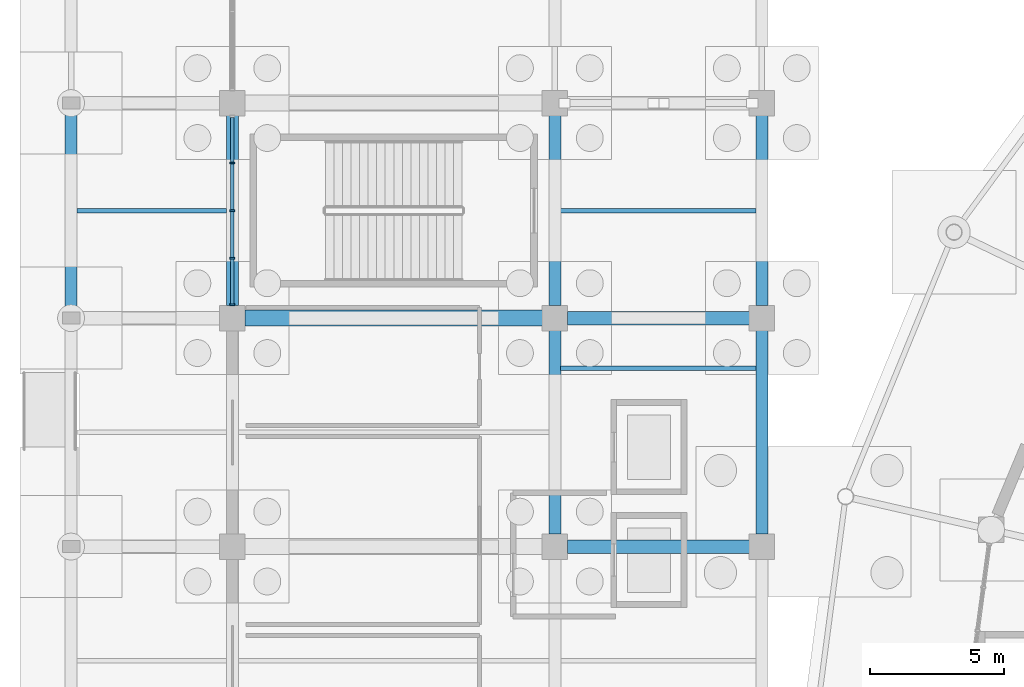
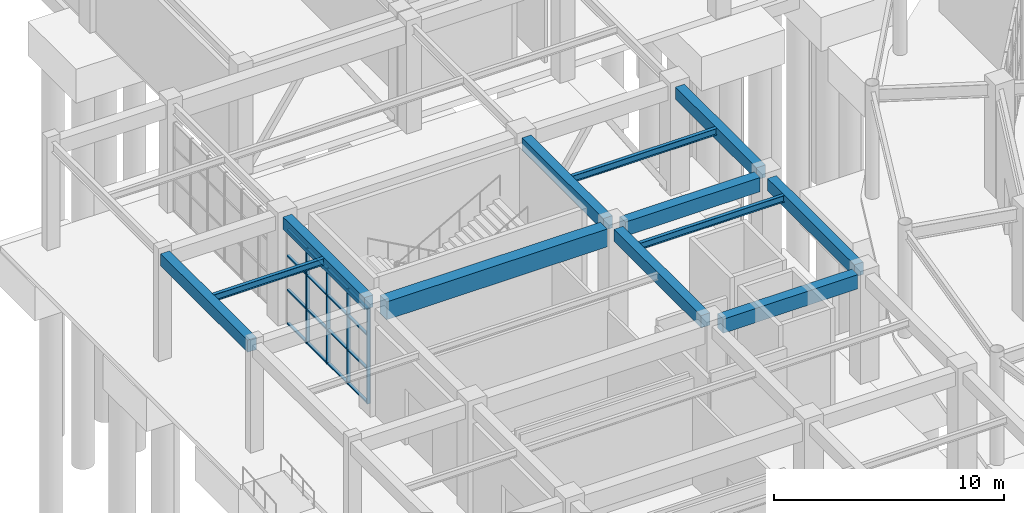
# One storey, part 38 of 121: 20 members, 12 beams, 1 element without a shape of its own.
"""IFC4 building model written with IfcOpenShell, lengths in metres."""

import ifcopenshell
import ifcopenshell.guid

model = None  # the IFC model being written
_history = None  # IfcOwnerHistory: only IFC2X3 demands one
_inside = {}  # id of a spatial element -> (the spatial element, [elements in it])
_under = {}  # id of a project, library or spatial element -> (it, [spatial elements below it])
_declared = {}  # id of a project -> (the project, [libraries it declares])
_typed = {}  # id of a type object -> (the type object, [elements of that type])
_made_of = {}  # id of a material, layer set ... -> (it, [elements and type objects made of it])


def new_model(schema):
    """Start an empty IFC model of exactly this schema.

    Asked for "IFC4X3", IfcOpenShell would pick the latest addendum, in which some entities
    have other attributes; the version numbers below select the first issue.
    IFC2X3 requires an IfcOwnerHistory on every rooted entity: one is made here for all.
    """
    global model, _history
    if schema == "IFC4X3":
        model = ifcopenshell.file(schema_version=(4, 3, 0, 0))
    else:
        model = ifcopenshell.file(schema=schema)
    _inside.clear()
    _under.clear()
    _declared.clear()
    _typed.clear()
    _made_of.clear()
    _history = None
    if model.schema == "IFC2X3":
        org = make("IfcOrganization", Name="unknown")
        user = make(
            "IfcPersonAndOrganization",
            ThePerson=make("IfcPerson", FamilyName="unknown"),
            TheOrganization=org,
        )
        app = make(
            "IfcApplication",
            ApplicationDeveloper=org,
            Version="unknown",
            ApplicationFullName="unknown",
            ApplicationIdentifier="unknown",
        )
        _history = make(
            "IfcOwnerHistory",
            OwningUser=user,
            OwningApplication=app,
            ChangeAction="ADDED",
            CreationDate=0,
        )
    return model


def make(cls, **values):
    """One entity of the class cls with the attributes given. An attribute that is None is left unset."""
    return model.create_entity(
        cls, **{name: value for name, value in values.items() if value is not None}
    )


def rooted(cls, **values):
    """An entity with a GlobalId (a new one), such as an element, a storey or a relation."""
    return make(cls, GlobalId=ifcopenshell.guid.new(), OwnerHistory=_history, **values)


def si_unit(unit_type, name, prefix=None):
    """IfcSIUnit, for example si_unit("LENGTHUNIT", "METRE", prefix="MILLI")."""
    return make("IfcSIUnit", UnitType=unit_type, Prefix=prefix, Name=name)


def assignment(units):
    """IfcUnitAssignment: the units of a project."""
    return None if units is None else make("IfcUnitAssignment", Units=units)


def point(xyz):
    """IfcCartesianPoint."""
    return None if xyz is None else make("IfcCartesianPoint", Coordinates=xyz)


def direction(xyz):
    """IfcDirection."""
    return None if xyz is None else make("IfcDirection", DirectionRatios=xyz)


def frame(location, z_axis=None, x_axis=None):
    """IfcAxis2Placement3D, a coordinate frame: its origin and axes. An axis left out is left unset."""
    return make(
        "IfcAxis2Placement3D",
        Location=point(location),
        Axis=direction(z_axis),
        RefDirection=direction(x_axis),
    )


def frame_2d(location, x_axis=None):
    """IfcAxis2Placement2D, a coordinate frame in the plane: its origin and x axis."""
    return make(
        "IfcAxis2Placement2D", Location=point(location), RefDirection=direction(x_axis)
    )


def origin():
    """The frame at (0, 0, 0) with its axes left unset."""
    return frame((0.0, 0.0, 0.0))


def origin_2d():
    """The frame at (0, 0) in the plane with its x axis left unset."""
    return frame_2d((0.0, 0.0))


def place(relative_to, where):
    """IfcLocalPlacement: puts the frame where relative to a parent placement (None: the world)."""
    return make(
        "IfcLocalPlacement", PlacementRelTo=relative_to, RelativePlacement=where
    )


def context(
    kind, dimensions, precision=None, world=None, true_north=None, identifier=None
):
    """IfcGeometricRepresentationContext, for example the 3D "Model" context."""
    return make(
        "IfcGeometricRepresentationContext",
        ContextIdentifier=identifier,
        ContextType=kind,
        CoordinateSpaceDimension=dimensions,
        Precision=precision,
        WorldCoordinateSystem=world,
        TrueNorth=true_north,
    )


def subcontext(parent, identifier, kind, view, scale=None):
    """IfcGeometricRepresentationSubContext, for example "Body" below "Model"."""
    return make(
        "IfcGeometricRepresentationSubContext",
        ContextIdentifier=identifier,
        ContextType=kind,
        ParentContext=parent,
        TargetScale=scale,
        TargetView=view,
    )


def project(units=None, contexts=None):
    """IfcProject with its units and contexts."""
    return rooted(
        "IfcProject",
        Name="project",
        RepresentationContexts=contexts,
        UnitsInContext=assignment(units),
    )


def spatial(cls, under=None, at=None, **own):
    """A site, building, storey or space (cls), placed at a placement, below another one or the project."""
    s = rooted(cls, ObjectPlacement=at, **own)
    if under is not None:
        _under.setdefault(under.id(), (under, []))[1].append(s)
    return s


def profile(cls, at=None, kind="AREA", **sizes):
    """A parametric profile (cls). Its sizes go by their IFC names, for example OverallWidth=200.0."""
    return make(cls, ProfileType=kind, Position=at, **sizes)


def rectangle(**sizes):
    """IfcRectangleProfileDef."""
    return profile("IfcRectangleProfileDef", **sizes)


def i_section(**sizes):
    """IfcIShapeProfileDef."""
    return profile("IfcIShapeProfileDef", **sizes)


def extrude(swept, where, along, depth):
    """IfcExtrudedAreaSolid: the profile swept, set in the frame where, extruded along a direction by depth."""
    return make(
        "IfcExtrudedAreaSolid",
        SweptArea=swept,
        Position=where,
        ExtrudedDirection=direction(along),
        Depth=depth,
    )


def shape(context_of_items, identifier, shape_type, items):
    """IfcShapeRepresentation: the items that make up one representation, for example the "Body"."""
    return make(
        "IfcShapeRepresentation",
        ContextOfItems=context_of_items,
        RepresentationIdentifier=identifier,
        RepresentationType=shape_type,
        Items=items,
    )


def material(Name=None, Category=None):
    """IfcMaterial."""
    return make("IfcMaterial", Name=Name, Category=Category)


def material_profile(
    of_material, cross_section, Name=None, Category=None, Priority=None
):
    """IfcMaterialProfile: a cross section and its material."""
    return make(
        "IfcMaterialProfile",
        Name=Name,
        Material=of_material,
        Profile=cross_section,
        Priority=Priority,
        Category=Category,
    )


def profile_set(profiles, Name=None, composite=None):
    """IfcMaterialProfileSet."""
    return make(
        "IfcMaterialProfileSet",
        Name=Name,
        MaterialProfiles=profiles,
        CompositeProfile=composite,
    )


def made_of(thing, what):
    """Note that an element or type object is made of a material, layer set ...; save() writes the relation."""
    if what is not None:
        _made_of.setdefault(what.id(), (what, []))[1].append(thing)
    return thing


def type_object(cls, material=None, **own):
    """A type object (cls), such as IfcWallType, which elements share."""
    return made_of(rooted(cls, **own), material)


def element(
    cls,
    number,
    at=None,
    inside=None,
    cuts=None,
    type_object=None,
    material=None,
    context=None,
    identifier="Body",
    shape_type=None,
    held_by="IfcProductDefinitionShape",
    body=None,
    shapes=None,
    **own,
):
    """One element of the class cls, such as IfcWall. Its Tag is "e" and its number.

    at: its placement. inside: the storey or other place that contains it. cuts: it is an
    opening in that element (IfcRelVoidsElement). A single representation is given by context,
    identifier, shape_type and body (its items); several are given by shapes. held_by: the class
    of the entity that holds the representations. save() writes the other relations.
    """
    e = rooted(cls, Tag="e%d" % number, ObjectPlacement=at, **own)
    if body is not None:
        shapes = [shape(context, identifier, shape_type, body)]
    if shapes is not None:
        e.Representation = make(held_by, Representations=shapes)
    if inside is not None:
        _inside.setdefault(inside.id(), (inside, []))[1].append(e)
    if cuts is not None:
        rooted(
            "IfcRelVoidsElement", RelatingBuildingElement=cuts, RelatedOpeningElement=e
        )
    if type_object is not None:
        _typed.setdefault(type_object.id(), (type_object, []))[1].append(e)
    return made_of(e, material)


def aggregate(whole, parts):
    """IfcRelAggregates: a whole, such as a stair, and the parts it consists of."""
    return rooted("IfcRelAggregates", RelatingObject=whole, RelatedObjects=parts)


def save(model, path):
    """Write the relations noted so far, then the file.

    IfcRelAggregates (storeys below a building ...), IfcRelContainedInSpatialStructure (elements
    in a storey), IfcRelDefinesByType, IfcRelAssociatesMaterial and IfcRelDeclares: one each for
    every whole, place, type object, material and project.
    """
    for whole, parts in _under.values():
        aggregate(whole, parts)
    for where, things in _inside.values():
        rooted(
            "IfcRelContainedInSpatialStructure",
            RelatedElements=things,
            RelatingStructure=where,
        )
    for kind, things in _typed.values():
        rooted("IfcRelDefinesByType", RelatedObjects=things, RelatingType=kind)
    for what, things in _made_of.values():
        rooted("IfcRelAssociatesMaterial", RelatedObjects=things, RelatingMaterial=what)
    for by, libraries in _declared.values():
        rooted("IfcRelDeclares", RelatingContext=by, RelatedDefinitions=libraries)
    model.write(path)


model = new_model("IFC4")

# Units and contexts
model_context = context("Model", 3, precision=1e-05, world=origin(), true_north=direction((0.0, 1.0)))
body_context = subcontext(model_context, "Body", "Model", "MODEL_VIEW")
ifc_project = project(units=[si_unit("LENGTHUNIT", "METRE"), si_unit("AREAUNIT", "SQUARE_METRE"), si_unit("VOLUMEUNIT", "CUBIC_METRE"), si_unit("PLANEANGLEUNIT", "RADIAN"), si_unit("MASSUNIT", "GRAM", prefix="KILO")], contexts=[model_context])

# Site, building, storey
site_placement = place(None, origin())
site = spatial("IfcSite", under=ifc_project, at=site_placement, CompositionType="ELEMENT")
building_placement = place(site_placement, origin())
building = spatial("IfcBuilding", under=site, at=building_placement, Name="Cuetzalor Civic Arena", CompositionType="ELEMENT")
storey_placement = place(building_placement, origin())
storey = spatial("IfcBuildingStorey", under=building, at=storey_placement, Name="L00", CompositionType="ELEMENT", Elevation=0.0)

# Beams
ifc_material_1 = material(Name="Concrete C40/50", Category="concrete")
ifc_material_profile_1 = material_profile(ifc_material_1, rectangle(XDim=0.5, YDim=0.75, at=origin_2d()), Name="RC 500x750")
ifc_profile_set_1 = profile_set([ifc_material_profile_1], Name="Concrete C40/50")
beam_type_1 = type_object("IfcBeamType", Name="ConcreteFrameBeam_500x750", PredefinedType="BEAM", material=ifc_profile_set_1)
for number, where, z_axis, x_axis, name in (
    (1, (-63.534912109375, 8.5, 5.324951171875), (1.0, 0.0, 0.0), (0.0, 1.0, 0.0), "Frame Girder V4W-L00-X0083"),
    (2, (-63.534912109375, 17.0, 5.324951171875), (1.0, 0.0, 0.0), (0.0, 1.0, 0.0), "Frame Girder V4W-L00-X0086"),
):
    element("IfcBeam", number, at=place(storey_placement, frame(where, z_axis=z_axis, x_axis=x_axis)), inside=storey, type_object=beam_type_1, Name=name, PredefinedType="BEAM", context=body_context, shape_type="SweptSolid", body=[
        extrude(rectangle(XDim=0.5, YDim=0.75, at=origin_2d()), origin(), (0.0, 0.0, 1.0), 6.77001953125),
    ])
ifc_material_2 = material(Name="Concrete C40/50", Category="concrete")
ifc_material_profile_2 = material_profile(ifc_material_2, rectangle(XDim=0.60009765625, YDim=0.949951171875, at=origin_2d()), Name="RC 600x950")
ifc_profile_set_2 = profile_set([ifc_material_profile_2], Name="Concrete C40/50")
beam_type_2 = type_object("IfcBeamType", Name="ConcreteFrameBeam_600x950", PredefinedType="BEAM", material=ifc_profile_set_2)
beam_1_placement = place(storey_placement, frame((-75.534912109375, 17.0, 5.22509765625), z_axis=(1.0, 0.0, 0.0), x_axis=(0.0, 1.0, 0.0)))
element("IfcBeam", 3, at=beam_1_placement, inside=storey, type_object=beam_type_2, Name="Frame Girder V4W-L00-X0085", PredefinedType="BEAM", context=body_context, shape_type="SweptSolid", body=[
    extrude(rectangle(XDim=0.60009765625, YDim=0.949951171875, at=origin_2d()), origin(), (0.0, 0.0, 1.0), 11.06982421875),
])
ifc_material_3 = material(Name="Concrete C40/50", Category="concrete")
ifc_material_profile_3 = material_profile(ifc_material_3, rectangle(XDim=0.449951171875, YDim=0.64990234375, at=origin_2d()), Name="RC 450x650")
ifc_profile_set_3 = profile_set([ifc_material_profile_3], Name="Concrete C40/50")
beam_type_3 = type_object("IfcBeamType", Name="ConcreteTieBeam_450x650", PredefinedType="BEAM", material=ifc_profile_set_3)
beam_2_placement = place(storey_placement, frame((-82.0, 17.215087890625, 5.375), z_axis=(0.0, 1.0, 0.0), x_axis=(-1.0, 0.0, 0.0)))
element("IfcBeam", 4, at=beam_2_placement, inside=storey, type_object=beam_type_3, Name="Frame Girder V4W-L00-Y0101", PredefinedType="BEAM", context=body_context, shape_type="SweptSolid", body=[
    extrude(rectangle(XDim=0.449951171875, YDim=0.64990234375, at=origin_2d()), origin(), (0.0, 0.0, 1.0), 7.56982421875),
])
beam_3_placement = place(storey_placement, frame((-76.0, 17.465087890625, 5.375), z_axis=(0.0, 1.0, 0.0), x_axis=(-1.0, 0.0, 0.0)))
element("IfcBeam", 5, at=beam_3_placement, inside=storey, type_object=beam_type_3, Name="Frame Girder V4W-L00-Y0111", PredefinedType="BEAM", context=body_context, shape_type="SweptSolid", body=[
    extrude(rectangle(XDim=0.449951171875, YDim=0.64990234375, at=origin_2d()), origin(), (0.0, 0.0, 1.0), 7.06982421875),
])
beam_4_placement = place(storey_placement, frame((-64.0, 8.965087890625, 5.375), z_axis=(0.0, 1.0, 0.0), x_axis=(-1.0, 0.0, 0.0)))
element("IfcBeam", 6, at=beam_4_placement, inside=storey, type_object=beam_type_3, Name="Frame Girder V4W-L00-Y0120", PredefinedType="BEAM", context=body_context, shape_type="SweptSolid", body=[
    extrude(rectangle(XDim=0.449951171875, YDim=0.64990234375, at=origin_2d()), origin(), (0.0, 0.0, 1.0), 7.56982421875),
])
beam_5_placement = place(storey_placement, frame((-64.0, 17.465087890625, 5.375), z_axis=(0.0, 1.0, 0.0), x_axis=(-1.0, 0.0, 0.0)))
element("IfcBeam", 7, at=beam_5_placement, inside=storey, type_object=beam_type_3, Name="Frame Girder V4W-L00-Y0121", PredefinedType="BEAM", context=body_context, shape_type="SweptSolid", body=[
    extrude(rectangle(XDim=0.449951171875, YDim=0.64990234375, at=origin_2d()), origin(), (0.0, 0.0, 1.0), 7.06982421875),
])
beam_6_placement = place(storey_placement, frame((-56.300048828125, 8.965087890625, 5.375), z_axis=(0.0, 1.0, 0.0), x_axis=(-1.0, 0.0, 0.0)))
element("IfcBeam", 8, at=beam_6_placement, inside=storey, type_object=beam_type_3, Name="Frame Girder V4W-L00-Y0130", PredefinedType="BEAM", context=body_context, shape_type="SweptSolid", body=[
    extrude(rectangle(XDim=0.449951171875, YDim=0.64990234375, at=origin_2d()), origin(), (0.0, 0.0, 1.0), 7.56982421875),
])
beam_7_placement = place(storey_placement, frame((-56.300048828125, 17.465087890625, 5.375), z_axis=(0.0, 1.0, 0.0), x_axis=(-1.0, 0.0, 0.0)))
element("IfcBeam", 9, at=beam_7_placement, inside=storey, type_object=beam_type_3, Name="Frame Girder V4W-L00-Y0131", PredefinedType="BEAM", context=body_context, shape_type="SweptSolid", body=[
    extrude(rectangle(XDim=0.449951171875, YDim=0.64990234375, at=origin_2d()), origin(), (0.0, 0.0, 1.0), 7.06982421875),
])

# Curtain wall, members
ifc_material_4 = material(Name="Anodised dark bronze aluminium and low-E solar glass", Category="aluminium")
curtain_wall_type = type_object("IfcCurtainWallType", Name="UnitisedCW_7100x5050", PredefinedType="USERDEFINED", material=ifc_material_4)
curtain_wall_placement = place(storey_placement, origin())
curtain_wall = element("IfcCurtainWall", 10, at=curtain_wall_placement, inside=storey, type_object=curtain_wall_type, Name="V4W Colonnade Curtain Wall L00-106", ObjectType="UNITISED CURTAIN WALL", PredefinedType="USERDEFINED")
ifc_material_5 = material(Name="Anodised dark bronze aluminium", Category="aluminium")
ifc_material_profile_4 = material_profile(ifc_material_5, rectangle(XDim=0.070068359375, YDim=0.179931640625, at=origin_2d()), Name="ALU MULLION 70x180")
ifc_profile_set_4 = profile_set([ifc_material_profile_4], Name="Anodised dark bronze aluminium")
member_type_1 = type_object("IfcMemberType", Name="CurtainWallMullion_65x180", PredefinedType="MULLION", material=ifc_profile_set_4)
member_1_placement = place(storey_placement, frame((-76.0, 17.491943359375, 0.0), z_axis=(0.0, 0.0, 1.0), x_axis=(0.0, 1.0, 0.0)))
member_1 = element("IfcMember", 11, at=member_1_placement, type_object=member_type_1, Name="CW-34 mullion 1", PredefinedType="MULLION", context=body_context, shape_type="SweptSolid", body=[
    extrude(rectangle(XDim=0.070068359375, YDim=0.179931640625, at=origin_2d()), origin(), (0.0, 0.0, 1.0), 5.0400390625),
])
member_2_placement = place(storey_placement, frame((-76.0, 19.228515625, 0.0), z_axis=(0.0, 0.0, 1.0), x_axis=(0.0, 1.0, 0.0)))
member_2 = element("IfcMember", 12, at=member_2_placement, type_object=member_type_1, Name="CW-34 mullion 2", PredefinedType="MULLION", context=body_context, shape_type="SweptSolid", body=[
    extrude(rectangle(XDim=0.070068359375, YDim=0.179931640625, at=origin_2d()), origin(), (0.0, 0.0, 1.0), 5.0400390625),
])
member_3_placement = place(storey_placement, frame((-76.0, 21.0, 0.0), z_axis=(0.0, 0.0, 1.0), x_axis=(0.0, 1.0, 0.0)))
member_3 = element("IfcMember", 13, at=member_3_placement, type_object=member_type_1, Name="CW-34 mullion 3", PredefinedType="MULLION", context=body_context, shape_type="SweptSolid", body=[
    extrude(rectangle(XDim=0.070068359375, YDim=0.179931640625, at=origin_2d()), origin(), (0.0, 0.0, 1.0), 5.0400390625),
])
member_4_placement = place(storey_placement, frame((-76.0, 22.771484375, 0.0), z_axis=(0.0, 0.0, 1.0), x_axis=(0.0, 1.0, 0.0)))
member_4 = element("IfcMember", 14, at=member_4_placement, type_object=member_type_1, Name="CW-34 mullion 4", PredefinedType="MULLION", context=body_context, shape_type="SweptSolid", body=[
    extrude(rectangle(XDim=0.070068359375, YDim=0.179931640625, at=origin_2d()), origin(), (0.0, 0.0, 1.0), 5.0400390625),
])
ifc_material_6 = material(Name="Anodised dark bronze aluminium", Category="aluminium")
ifc_material_profile_5 = material_profile(ifc_material_6, rectangle(XDim=0.139892578125, YDim=0.070068359375, at=origin_2d()), Name="ALU TRANSOM 70x140")
ifc_profile_set_5 = profile_set([ifc_material_profile_5], Name="Anodised dark bronze aluminium")
member_type_2 = type_object("IfcMemberType", Name="CurtainWallTransom_65x140", PredefinedType="USERDEFINED", material=ifc_profile_set_5)
member_5_placement = place(storey_placement, frame((-76.0, 17.527099609375, 0.034912109375), z_axis=(0.0, 1.0, 0.0), x_axis=(-1.0, 0.0, 0.0)))
member_5 = element("IfcMember", 15, at=member_5_placement, type_object=member_type_2, Name="CW-34 transom 1.1", ObjectType="TRANSOM", PredefinedType="USERDEFINED", context=body_context, shape_type="SweptSolid", body=[
    extrude(rectangle(XDim=0.139892578125, YDim=0.070068359375, at=origin_2d()), origin(), (0.0, 0.0, 1.0), 1.66650390625),
])
member_6_placement = place(storey_placement, frame((-76.0, 17.527099609375, 1.81396484375), z_axis=(0.0, 1.0, 0.0), x_axis=(-1.0, 0.0, 0.0)))
member_6 = element("IfcMember", 16, at=member_6_placement, type_object=member_type_2, Name="CW-34 transom 1.2", ObjectType="TRANSOM", PredefinedType="USERDEFINED", context=body_context, shape_type="SweptSolid", body=[
    extrude(rectangle(XDim=0.139892578125, YDim=0.070068359375, at=origin_2d()), origin(), (0.0, 0.0, 1.0), 1.66650390625),
])
member_7_placement = place(storey_placement, frame((-76.0, 17.527099609375, 3.62890625), z_axis=(0.0, 1.0, 0.0), x_axis=(-1.0, 0.0, 0.0)))
member_7 = element("IfcMember", 17, at=member_7_placement, type_object=member_type_2, Name="CW-34 transom 1.3", ObjectType="TRANSOM", PredefinedType="USERDEFINED", context=body_context, shape_type="SweptSolid", body=[
    extrude(rectangle(XDim=0.139892578125, YDim=0.070068359375, at=origin_2d()), origin(), (0.0, 0.0, 1.0), 1.66650390625),
])
member_8_placement = place(storey_placement, frame((-76.0, 17.527099609375, 5.0048828125), z_axis=(0.0, 1.0, 0.0), x_axis=(-1.0, 0.0, 0.0)))
member_8 = element("IfcMember", 18, at=member_8_placement, type_object=member_type_2, Name="CW-34 transom 1.4", ObjectType="TRANSOM", PredefinedType="USERDEFINED", context=body_context, shape_type="SweptSolid", body=[
    extrude(rectangle(XDim=0.139892578125, YDim=0.070068359375, at=origin_2d()), origin(), (0.0, 0.0, 1.0), 1.66650390625),
])
member_9_placement = place(storey_placement, frame((-76.0, 19.263427734375, 0.034912109375), z_axis=(0.0, 1.0, 0.0), x_axis=(-1.0, 0.0, 0.0)))
member_9 = element("IfcMember", 19, at=member_9_placement, type_object=member_type_2, Name="CW-34 transom 2.1", ObjectType="TRANSOM", PredefinedType="USERDEFINED", context=body_context, shape_type="SweptSolid", body=[
    extrude(rectangle(XDim=0.139892578125, YDim=0.070068359375, at=origin_2d()), origin(), (0.0, 0.0, 1.0), 1.70166015625),
])
member_10_placement = place(storey_placement, frame((-76.0, 19.263427734375, 1.81396484375), z_axis=(0.0, 1.0, 0.0), x_axis=(-1.0, 0.0, 0.0)))
member_10 = element("IfcMember", 20, at=member_10_placement, type_object=member_type_2, Name="CW-34 transom 2.2", ObjectType="TRANSOM", PredefinedType="USERDEFINED", context=body_context, shape_type="SweptSolid", body=[
    extrude(rectangle(XDim=0.139892578125, YDim=0.070068359375, at=origin_2d()), origin(), (0.0, 0.0, 1.0), 1.70166015625),
])
member_11_placement = place(storey_placement, frame((-76.0, 19.263427734375, 3.62890625), z_axis=(0.0, 1.0, 0.0), x_axis=(-1.0, 0.0, 0.0)))
member_11 = element("IfcMember", 21, at=member_11_placement, type_object=member_type_2, Name="CW-34 transom 2.3", ObjectType="TRANSOM", PredefinedType="USERDEFINED", context=body_context, shape_type="SweptSolid", body=[
    extrude(rectangle(XDim=0.139892578125, YDim=0.070068359375, at=origin_2d()), origin(), (0.0, 0.0, 1.0), 1.70166015625),
])
member_12_placement = place(storey_placement, frame((-76.0, 19.263427734375, 5.0048828125), z_axis=(0.0, 1.0, 0.0), x_axis=(-1.0, 0.0, 0.0)))
member_12 = element("IfcMember", 22, at=member_12_placement, type_object=member_type_2, Name="CW-34 transom 2.4", ObjectType="TRANSOM", PredefinedType="USERDEFINED", context=body_context, shape_type="SweptSolid", body=[
    extrude(rectangle(XDim=0.139892578125, YDim=0.070068359375, at=origin_2d()), origin(), (0.0, 0.0, 1.0), 1.70166015625),
])
member_13_placement = place(storey_placement, frame((-76.0, 21.034912109375, 0.034912109375), z_axis=(0.0, 1.0, 0.0), x_axis=(-1.0, 0.0, 0.0)))
member_13 = element("IfcMember", 23, at=member_13_placement, type_object=member_type_2, Name="CW-34 transom 3.1", ObjectType="TRANSOM", PredefinedType="USERDEFINED", context=body_context, shape_type="SweptSolid", body=[
    extrude(rectangle(XDim=0.139892578125, YDim=0.070068359375, at=origin_2d()), origin(), (0.0, 0.0, 1.0), 1.70166015625),
])
member_14_placement = place(storey_placement, frame((-76.0, 21.034912109375, 1.81396484375), z_axis=(0.0, 1.0, 0.0), x_axis=(-1.0, 0.0, 0.0)))
member_14 = element("IfcMember", 24, at=member_14_placement, type_object=member_type_2, Name="CW-34 transom 3.2", ObjectType="TRANSOM", PredefinedType="USERDEFINED", context=body_context, shape_type="SweptSolid", body=[
    extrude(rectangle(XDim=0.139892578125, YDim=0.070068359375, at=origin_2d()), origin(), (0.0, 0.0, 1.0), 1.70166015625),
])
member_15_placement = place(storey_placement, frame((-76.0, 21.034912109375, 3.62890625), z_axis=(0.0, 1.0, 0.0), x_axis=(-1.0, 0.0, 0.0)))
member_15 = element("IfcMember", 25, at=member_15_placement, type_object=member_type_2, Name="CW-34 transom 3.3", ObjectType="TRANSOM", PredefinedType="USERDEFINED", context=body_context, shape_type="SweptSolid", body=[
    extrude(rectangle(XDim=0.139892578125, YDim=0.070068359375, at=origin_2d()), origin(), (0.0, 0.0, 1.0), 1.70166015625),
])
member_16_placement = place(storey_placement, frame((-76.0, 21.034912109375, 5.0048828125), z_axis=(0.0, 1.0, 0.0), x_axis=(-1.0, 0.0, 0.0)))
member_16 = element("IfcMember", 26, at=member_16_placement, type_object=member_type_2, Name="CW-34 transom 3.4", ObjectType="TRANSOM", PredefinedType="USERDEFINED", context=body_context, shape_type="SweptSolid", body=[
    extrude(rectangle(XDim=0.139892578125, YDim=0.070068359375, at=origin_2d()), origin(), (0.0, 0.0, 1.0), 1.70166015625),
])
member_17_placement = place(storey_placement, frame((-76.0, 22.806396484375, 0.034912109375), z_axis=(0.0, 1.0, 0.0), x_axis=(-1.0, 0.0, 0.0)))
member_17 = element("IfcMember", 27, at=member_17_placement, type_object=member_type_2, Name="CW-34 transom 4.1", ObjectType="TRANSOM", PredefinedType="USERDEFINED", context=body_context, shape_type="SweptSolid", body=[
    extrude(rectangle(XDim=0.139892578125, YDim=0.070068359375, at=origin_2d()), origin(), (0.0, 0.0, 1.0), 1.66650390625),
])
member_18_placement = place(storey_placement, frame((-76.0, 22.806396484375, 1.81396484375), z_axis=(0.0, 1.0, 0.0), x_axis=(-1.0, 0.0, 0.0)))
member_18 = element("IfcMember", 28, at=member_18_placement, type_object=member_type_2, Name="CW-34 transom 4.2", ObjectType="TRANSOM", PredefinedType="USERDEFINED", context=body_context, shape_type="SweptSolid", body=[
    extrude(rectangle(XDim=0.139892578125, YDim=0.070068359375, at=origin_2d()), origin(), (0.0, 0.0, 1.0), 1.66650390625),
])
member_19_placement = place(storey_placement, frame((-76.0, 22.806396484375, 3.62890625), z_axis=(0.0, 1.0, 0.0), x_axis=(-1.0, 0.0, 0.0)))
member_19 = element("IfcMember", 29, at=member_19_placement, type_object=member_type_2, Name="CW-34 transom 4.3", ObjectType="TRANSOM", PredefinedType="USERDEFINED", context=body_context, shape_type="SweptSolid", body=[
    extrude(rectangle(XDim=0.139892578125, YDim=0.070068359375, at=origin_2d()), origin(), (0.0, 0.0, 1.0), 1.66650390625),
])
member_20_placement = place(storey_placement, frame((-76.0, 22.806396484375, 5.0048828125), z_axis=(0.0, 1.0, 0.0), x_axis=(-1.0, 0.0, 0.0)))
member_20 = element("IfcMember", 30, at=member_20_placement, type_object=member_type_2, Name="CW-34 transom 4.4", ObjectType="TRANSOM", PredefinedType="USERDEFINED", context=body_context, shape_type="SweptSolid", body=[
    extrude(rectangle(XDim=0.139892578125, YDim=0.070068359375, at=origin_2d()), origin(), (0.0, 0.0, 1.0), 1.66650390625),
])
aggregate(curtain_wall, [member_1, member_2, member_3, member_4, member_5, member_6, member_7, member_8, member_9, member_10, member_11, member_12, member_13, member_14, member_15, member_16, member_17, member_18, member_19, member_20])

# Beams
ifc_material_7 = material(Name="Steel S355", Category="steel")
ifc_material_profile_6 = material_profile(ifc_material_7, i_section(OverallWidth=0.1708984375, OverallDepth=0.35498046875, WebThickness=0.007080078125, FlangeThickness=0.01171875, at=origin_2d()), Name="W360x51")
ifc_profile_set_6 = profile_set([ifc_material_profile_6], Name="Steel S355")
beam_type_4 = type_object("IfcBeamType", Name="SecondaryFloorJoist_W360", PredefinedType="JOIST", material=ifc_profile_set_6)
beam_8_placement = place(storey_placement, frame((-81.782958984375, 21.0, 5.5224609375), z_axis=(1.0, 0.0, 0.0), x_axis=(0.0, 1.0, 0.0)))
element("IfcBeam", 31, at=beam_8_placement, inside=storey, type_object=beam_type_4, Name="Secondary Floor Joist V4W-L00-0023", PredefinedType="JOIST", context=body_context, shape_type="SweptSolid", body=[
    extrude(i_section(OverallWidth=0.1708984375, OverallDepth=0.35498046875, WebThickness=0.007080078125, FlangeThickness=0.01171875, at=origin_2d()), origin(), (0.0, 0.0, 1.0), 5.56591796875),
])
for number, where, z_axis, x_axis, name in (
    (32, (-63.782958984375, 15.1298828125, 5.5224609375), (1.0, 0.0, 0.0), (0.0, 1.0, 0.0), "Secondary Floor Joist V4W-L00-0038"),
    (33, (-63.782958984375, 21.0, 5.5224609375), (1.0, 0.0, 0.0), (0.0, 1.0, 0.0), "Secondary Floor Joist V4W-L00-0039"),
):
    element("IfcBeam", number, at=place(storey_placement, frame(where, z_axis=z_axis, x_axis=x_axis)), inside=storey, type_object=beam_type_4, Name=name, PredefinedType="JOIST", context=body_context, shape_type="SweptSolid", body=[
        extrude(i_section(OverallWidth=0.1708984375, OverallDepth=0.35498046875, WebThickness=0.007080078125, FlangeThickness=0.01171875, at=origin_2d()), origin(), (0.0, 0.0, 1.0), 7.265869140625),
    ])

save(model, "model.ifc")
